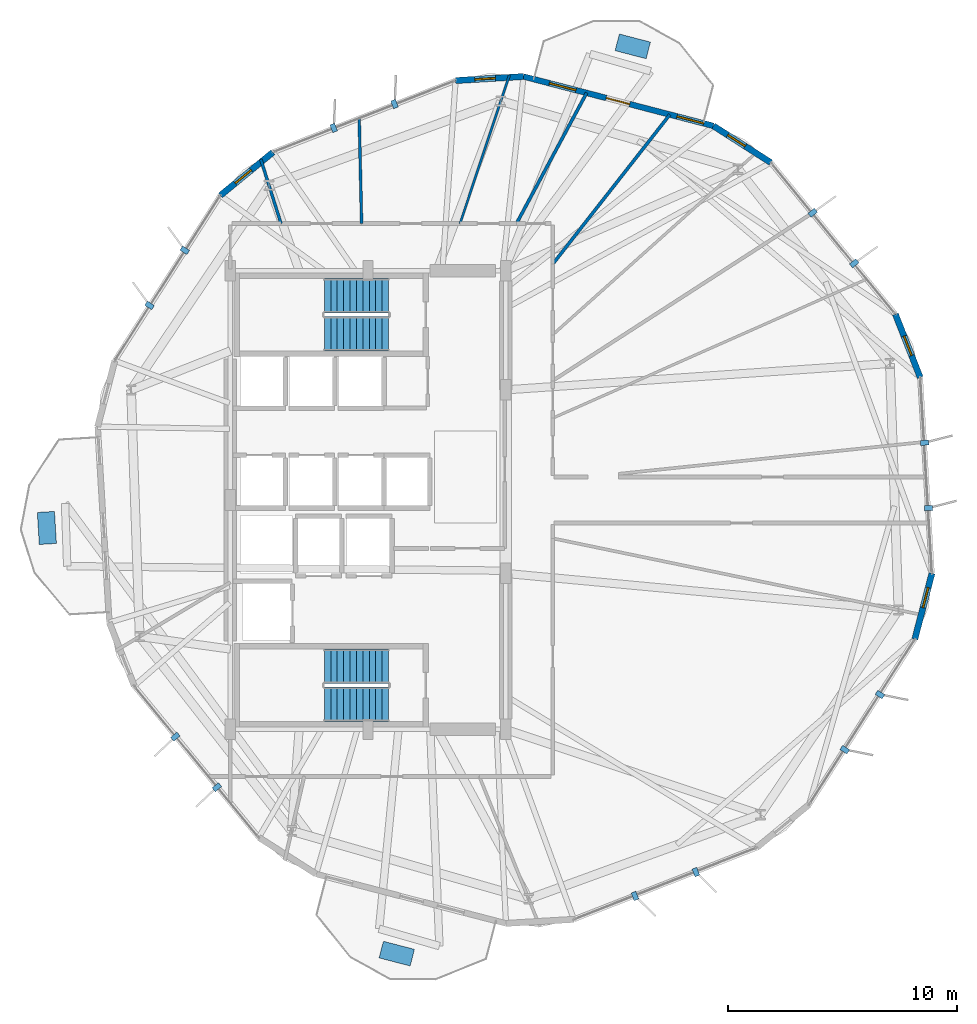
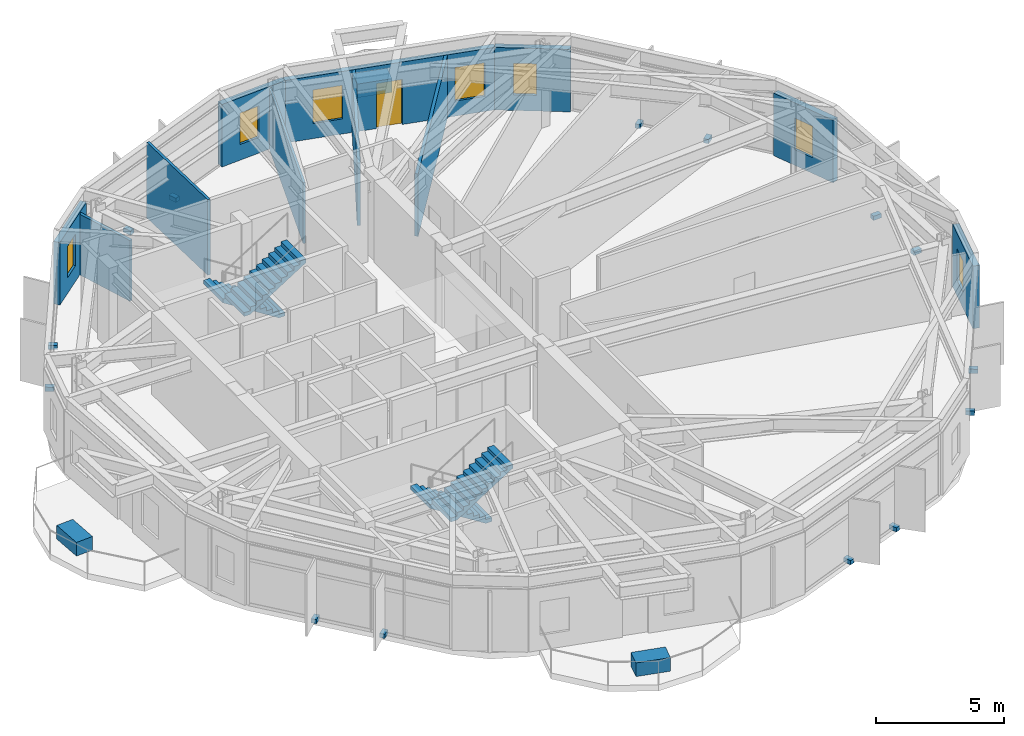
# One storey, part 19 of 22: 17 discrete accessories, 11 walls, 7 windows, 4 stair flights, 1 door, 8 openings, 2 elements without a shape of their own.
"""IFC4 building model written with IfcOpenShell, lengths in metres."""

from ifc_helpers import new_model, si_unit, direction, frame, frame_2d, origin, origin_2d, place, context, subcontext, project, spatial, polyline, rectangle, outline, extrude, material, layer, layer_set, type_object, element, fill, aggregate, save


model = new_model("IFC4")

# Units and contexts
model_context = context("Model", 3, precision=1e-05, world=origin(), true_north=direction((0.0, 1.0)))
body_context = subcontext(model_context, "Body", "Model", "MODEL_VIEW")
ifc_project = project(units=[si_unit("LENGTHUNIT", "METRE"), si_unit("AREAUNIT", "SQUARE_METRE"), si_unit("VOLUMEUNIT", "CUBIC_METRE"), si_unit("PLANEANGLEUNIT", "RADIAN"), si_unit("MASSUNIT", "GRAM", prefix="KILO")], contexts=[model_context])

# Site, building, storey
site_placement = place(None, origin())
site = spatial("IfcSite", under=ifc_project, at=site_placement, CompositionType="ELEMENT")
building_placement = place(site_placement, origin())
building = spatial("IfcBuilding", under=site, at=building_placement, Name="Soratama Intermodal Tower", CompositionType="ELEMENT")
storey_placement = place(building_placement, frame((0.0, 0.0, 110.800048828125)))
storey = spatial("IfcBuildingStorey", under=building, at=storey_placement, Name="L26", CompositionType="ELEMENT", Elevation=110.800048828125)

# Wall, openings, door, windows
ifc_material_1 = material(Name="Concrete f'c 42 MPa", Category="concrete")
ifc_layer_1 = layer(ifc_material_1, 0.25)
ifc_layer_set_1 = layer_set([ifc_layer_1], Name="Concrete f'c 42 MPa")
wall_type_1 = type_object("IfcWallType", Name="EW-BAL-250", PredefinedType="SOLIDWALL", material=ifc_layer_set_1)
wall_1_placement = place(storey_placement, frame((53.660400390625, 41.30712890625, 0.0), z_axis=(0.0, 0.0, 1.0), x_axis=(-0.967796780787, 0.251732777164, 0.0)))
wall_1 = element("IfcWall", 1, at=wall_1_placement, inside=storey, type_object=wall_type_1, Name="L26 Terrace Wall F02", PredefinedType="SOLIDWALL", context=body_context, shape_type="SweptSolid", body=[
    extrude(rectangle(XDim=8.552978515625, YDim=0.25, at=frame_2d((4.2763671875, 0.0))), origin(), (0.0, 0.0, 1.0), 2.97900390625),
])
opening_1_placement = place(wall_1_placement, frame((3.776611328125, 0.0, 0.0)))
opening_1 = element("IfcOpeningElement", 2, at=opening_1_placement, cuts=wall_1, Name="Opening ED-5", PredefinedType="OPENING", context=body_context, shape_type="SweptSolid", body=[
    extrude(rectangle(XDim=1.050048828125, YDim=2.14990234375, at=frame_2d((0.52490234375, 1.074951171875))), frame((0.0, 0.135009765625, 0.0), z_axis=(0.0, -1.0, 0.0), x_axis=(1.0, 0.0, 0.0)), (0.0, 0.0, 1.0), 0.27001953125),
])
opening_2_placement = place(wall_1_placement, frame((0.43994140625, 0.0, 0.719970703125)))
opening_2 = element("IfcOpeningElement", 3, at=opening_2_placement, cuts=wall_1, Name="Opening WN-2", PredefinedType="OPENING", context=body_context, shape_type="SweptSolid", body=[
    extrude(rectangle(XDim=1.199951171875, YDim=1.60009765625, at=frame_2d((0.60009765625, 0.800048828125))), frame((0.0, 0.135009765625, 0.0), z_axis=(0.0, -1.0, 0.0), x_axis=(1.0, 0.0, 0.0)), (0.0, 0.0, 1.0), 0.27001953125),
])
opening_3_placement = place(wall_1_placement, frame((6.18994140625, 0.0, 0.719970703125)))
opening_3 = element("IfcOpeningElement", 4, at=opening_3_placement, cuts=wall_1, Name="Opening WN-2", PredefinedType="OPENING", context=body_context, shape_type="SweptSolid", body=[
    extrude(rectangle(XDim=1.199951171875, YDim=1.60009765625, at=frame_2d((0.60009765625, 0.800048828125))), frame((0.0, 0.135009765625, 0.0), z_axis=(0.0, -1.0, 0.0), x_axis=(1.0, 0.0, 0.0)), (0.0, 0.0, 1.0), 0.27001953125),
])
ifc_material_2 = material(Name="Double-glazed aluminium door", Category="aluminium")
door_type = type_object("IfcDoorType", Name="DR-BAL-1050", OperationType="NOTDEFINED", PredefinedType="DOOR", material=ifc_material_2)
door_placement = place(opening_1_placement, origin())
door = element("IfcDoor", 5, at=door_placement, inside=storey, type_object=door_type, Name="L26 Balcony Door F02", OperationType="SINGLE_SWING_RIGHT", OverallHeight=2.14990234375, OverallWidth=1.050048828125, PredefinedType="DOOR", context=body_context, shape_type="SweptSolid", body=[
    extrude(rectangle(XDim=1.050048828125, YDim=2.14990234375, at=frame_2d((0.52490234375, 1.074951171875))), frame((0.0, 0.02490234375, 0.0), z_axis=(0.0, -1.0, 0.0), x_axis=(1.0, 0.0, 0.0)), (0.0, 0.0, 1.0), 0.050048828125),
])
fill(opening_1, door)
ifc_material_3 = material(Name="Double-glazed aluminium window", Category="aluminium")
window_type_1 = type_object("IfcWindowType", Name="WN-FAC-1200", PartitioningType="SINGLE_PANEL", PredefinedType="WINDOW", material=ifc_material_3)
window_1_placement = place(opening_2_placement, origin())
window_1 = element("IfcWindow", 6, at=window_1_placement, inside=storey, type_object=window_type_1, Name="L26 Window A F02", OverallHeight=1.60009765625, OverallWidth=1.199951171875, PartitioningType="SINGLE_PANEL", PredefinedType="WINDOW", context=body_context, shape_type="SweptSolid", body=[
    extrude(rectangle(XDim=1.199951171875, YDim=1.60009765625, at=frame_2d((0.60009765625, 0.800048828125))), frame((0.0, 0.030029296875, 0.0), z_axis=(0.0, -1.0, 0.0), x_axis=(1.0, 0.0, 0.0)), (0.0, 0.0, 1.0), 0.06005859375),
])
fill(opening_2, window_1)
window_2_placement = place(opening_3_placement, origin())
window_2 = element("IfcWindow", 7, at=window_2_placement, inside=storey, type_object=window_type_1, Name="L26 Window B F02", OverallHeight=1.60009765625, OverallWidth=1.199951171875, PartitioningType="SINGLE_PANEL", PredefinedType="WINDOW", context=body_context, shape_type="SweptSolid", body=[
    extrude(rectangle(XDim=1.199951171875, YDim=1.60009765625, at=frame_2d((0.60009765625, 0.800048828125))), frame((0.0, 0.030029296875, 0.0), z_axis=(0.0, -1.0, 0.0), x_axis=(1.0, 0.0, 0.0)), (0.0, 0.0, 1.0), 0.06005859375),
])
fill(opening_3, window_2)

# Wall, opening, window
ifc_material_4 = material(Name="Concrete f'c 42 MPa", Category="concrete")
ifc_layer_2 = layer(ifc_material_4, 0.27001953125)
ifc_layer_set_2 = layer_set([ifc_layer_2], Name="Concrete f'c 42 MPa")
wall_type_2 = type_object("IfcWallType", Name="EW-CRN-270", PredefinedType="SOLIDWALL", material=ifc_layer_set_2)
wall_2_placement = place(storey_placement, frame((56.160400390625, 39.709716796875, 0.0), z_axis=(0.0, 0.0, 1.0), x_axis=(-0.842667219755, 0.538434728404, 0.0)))
wall_2 = element("IfcWall", 8, at=wall_2_placement, inside=storey, type_object=wall_type_2, Name="L26 Corner Closure Wall 01", PredefinedType="SOLIDWALL", context=body_context, shape_type="SweptSolid", body=[
    extrude(rectangle(XDim=2.966796875, YDim=0.27001953125, at=frame_2d((1.4833984375, 0.0))), origin(), (0.0, 0.0, 1.0), 2.97900390625),
])
opening_4_placement = place(wall_2_placement, frame((1.324951171875, 0.0, 0.75)))
opening_4 = element("IfcOpeningElement", 9, at=opening_4_placement, cuts=wall_2, Name="Opening WN-6", PredefinedType="OPENING", context=body_context, shape_type="SweptSolid", body=[
    extrude(rectangle(XDim=0.89990234375, YDim=1.5, at=frame_2d((0.449951171875, 0.75))), frame((0.0, 0.14501953125, 0.0), z_axis=(0.0, -1.0, 0.0), x_axis=(1.0, 0.0, 0.0)), (0.0, 0.0, 1.0), 0.2900390625),
])
ifc_material_5 = material(Name="Double-glazed aluminium window", Category="aluminium")
window_type_2 = type_object("IfcWindowType", Name="WN-FAC-900", PartitioningType="SINGLE_PANEL", PredefinedType="WINDOW", material=ifc_material_5)
window_3_placement = place(opening_4_placement, origin())
window_3 = element("IfcWindow", 10, at=window_3_placement, inside=storey, type_object=window_type_2, Name="L26 Corner Window 01", OverallHeight=1.5, OverallWidth=0.89990234375, PartitioningType="SINGLE_PANEL", PredefinedType="WINDOW", context=body_context, shape_type="SweptSolid", body=[
    extrude(rectangle(XDim=0.89990234375, YDim=1.5, at=frame_2d((0.449951171875, 0.75))), frame((0.0, 0.030029296875, 0.0), z_axis=(0.0, -1.0, 0.0), x_axis=(1.0, 0.0, 0.0)), (0.0, 0.0, 1.0), 0.06005859375),
])
fill(opening_4, window_3)

wall_3_placement = place(storey_placement, frame((45.3828125, 43.460205078125, 0.0), z_axis=(0.0, 0.0, 1.0), x_axis=(-0.998218594755, -0.059662694245, 0.0)))
wall_3 = element("IfcWall", 11, at=wall_3_placement, inside=storey, type_object=wall_type_2, Name="L26 Corner Closure Wall 02", PredefinedType="SOLIDWALL", context=body_context, shape_type="SweptSolid", body=[
    extrude(rectangle(XDim=2.966796875, YDim=0.27001953125, at=frame_2d((1.4833984375, 0.0))), origin(), (0.0, 0.0, 1.0), 2.97900390625),
])
opening_5_placement = place(wall_3_placement, frame((1.227783203125, 0.0, 0.75)))
opening_5 = element("IfcOpeningElement", 12, at=opening_5_placement, cuts=wall_3, Name="Opening WN-6", PredefinedType="OPENING", context=body_context, shape_type="SweptSolid", body=[
    extrude(rectangle(XDim=0.89990234375, YDim=1.5, at=frame_2d((0.449951171875, 0.75))), frame((0.0, 0.14501953125, 0.0), z_axis=(0.0, -1.0, 0.0), x_axis=(1.0, 0.0, 0.0)), (0.0, 0.0, 1.0), 0.2900390625),
])
window_4_placement = place(opening_5_placement, origin())
window_4 = element("IfcWindow", 13, at=window_4_placement, inside=storey, type_object=window_type_2, Name="L26 Corner Window 02", OverallHeight=1.5, OverallWidth=0.89990234375, PartitioningType="SINGLE_PANEL", PredefinedType="WINDOW", context=body_context, shape_type="SweptSolid", body=[
    extrude(rectangle(XDim=0.89990234375, YDim=1.5, at=frame_2d((0.449951171875, 0.75))), frame((0.0, 0.030029296875, 0.0), z_axis=(0.0, -1.0, 0.0), x_axis=(1.0, 0.0, 0.0)), (0.0, 0.0, 1.0), 0.06005859375),
])
fill(opening_5, window_4)

wall_4_placement = place(storey_placement, frame((34.458984375, 40.15966796875, 0.0), z_axis=(0.0, 0.0, 1.0), x_axis=(-0.772514297214, -0.634997370545, 0.0)))
wall_4 = element("IfcWall", 14, at=wall_4_placement, inside=storey, type_object=wall_type_2, Name="L26 Corner Closure Wall 03", PredefinedType="SOLIDWALL", context=body_context, shape_type="SweptSolid", body=[
    extrude(rectangle(XDim=2.966552734375, YDim=0.27001953125, at=frame_2d((1.4833984375, 0.0))), origin(), (0.0, 0.0, 1.0), 2.97900390625),
])
opening_6_placement = place(wall_4_placement, frame((1.227783203125, 0.0, 0.75)))
opening_6 = element("IfcOpeningElement", 15, at=opening_6_placement, cuts=wall_4, Name="Opening WN-6", PredefinedType="OPENING", context=body_context, shape_type="SweptSolid", body=[
    extrude(rectangle(XDim=0.89990234375, YDim=1.5, at=frame_2d((0.449951171875, 0.75))), frame((0.0, 0.14501953125, 0.0), z_axis=(0.0, -1.0, 0.0), x_axis=(1.0, 0.0, 0.0)), (0.0, 0.0, 1.0), 0.2900390625),
])
window_5_placement = place(opening_6_placement, origin())
window_5 = element("IfcWindow", 16, at=window_5_placement, inside=storey, type_object=window_type_2, Name="L26 Corner Window 03", OverallHeight=1.5, OverallWidth=0.89990234375, PartitioningType="SINGLE_PANEL", PredefinedType="WINDOW", context=body_context, shape_type="SweptSolid", body=[
    extrude(rectangle(XDim=0.89990234375, YDim=1.5, at=frame_2d((0.449951171875, 0.75))), frame((0.0, 0.030029296875, 0.0), z_axis=(0.0, -1.0, 0.0), x_axis=(1.0, 0.0, 0.0)), (0.0, 0.0, 1.0), 0.06005859375),
])
fill(opening_6, window_5)

wall_5_placement = place(storey_placement, frame((62.4384765625, 18.931396484375, 0.0), z_axis=(0.0, 0.0, 1.0), x_axis=(0.251741768545, 0.967794442002, 0.0)))
wall_5 = element("IfcWall", 17, at=wall_5_placement, inside=storey, type_object=wall_type_2, Name="L26 Corner Closure Wall 09", PredefinedType="SOLIDWALL", context=body_context, shape_type="SweptSolid", body=[
    extrude(rectangle(XDim=2.966552734375, YDim=0.27001953125, at=frame_2d((1.4833984375, 0.0))), origin(), (0.0, 0.0, 1.0), 2.97900390625),
])
opening_7_placement = place(wall_5_placement, frame((1.422119140625, 0.0, 0.75)))
opening_7 = element("IfcOpeningElement", 18, at=opening_7_placement, cuts=wall_5, Name="Opening WN-6", PredefinedType="OPENING", context=body_context, shape_type="SweptSolid", body=[
    extrude(rectangle(XDim=0.89990234375, YDim=1.5, at=frame_2d((0.449951171875, 0.75))), frame((0.0, 0.14501953125, 0.0), z_axis=(0.0, -1.0, 0.0), x_axis=(1.0, 0.0, 0.0)), (0.0, 0.0, 1.0), 0.2900390625),
])
window_6_placement = place(opening_7_placement, origin())
window_6 = element("IfcWindow", 19, at=window_6_placement, inside=storey, type_object=window_type_2, Name="L26 Corner Window 09", OverallHeight=1.5, OverallWidth=0.89990234375, PartitioningType="SINGLE_PANEL", PredefinedType="WINDOW", context=body_context, shape_type="SweptSolid", body=[
    extrude(rectangle(XDim=0.89990234375, YDim=1.5, at=frame_2d((0.449951171875, 0.75))), frame((0.0, 0.030029296875, 0.0), z_axis=(0.0, -1.0, 0.0), x_axis=(1.0, 0.0, 0.0)), (0.0, 0.0, 1.0), 0.06005859375),
])
fill(opening_7, window_6)

wall_6_placement = place(storey_placement, frame((62.675048828125, 30.340576171875, 0.0), z_axis=(0.0, 0.0, 1.0), x_axis=(-0.365224582411, 0.93091944034, 0.0)))
wall_6 = element("IfcWall", 20, at=wall_6_placement, inside=storey, type_object=wall_type_2, Name="L26 Corner Closure Wall 10", PredefinedType="SOLIDWALL", context=body_context, shape_type="SweptSolid", body=[
    extrude(rectangle(XDim=2.966552734375, YDim=0.27001953125, at=frame_2d((1.4833984375, 0.0))), origin(), (0.0, 0.0, 1.0), 2.97900390625),
])
opening_8_placement = place(wall_6_placement, frame((1.033203125, 0.0, 0.75)))
opening_8 = element("IfcOpeningElement", 21, at=opening_8_placement, cuts=wall_6, Name="Opening WN-6", PredefinedType="OPENING", context=body_context, shape_type="SweptSolid", body=[
    extrude(rectangle(XDim=0.89990234375, YDim=1.5, at=frame_2d((0.449951171875, 0.75))), frame((0.0, 0.14501953125, 0.0), z_axis=(0.0, -1.0, 0.0), x_axis=(1.0, 0.0, 0.0)), (0.0, 0.0, 1.0), 0.2900390625),
])
window_7_placement = place(opening_8_placement, origin())
window_7 = element("IfcWindow", 22, at=window_7_placement, inside=storey, type_object=window_type_2, Name="L26 Corner Window 10", OverallHeight=1.5, OverallWidth=0.89990234375, PartitioningType="SINGLE_PANEL", PredefinedType="WINDOW", context=body_context, shape_type="SweptSolid", body=[
    extrude(rectangle(XDim=0.89990234375, YDim=1.5, at=frame_2d((0.449951171875, 0.75))), frame((0.0, 0.030029296875, 0.0), z_axis=(0.0, -1.0, 0.0), x_axis=(1.0, 0.0, 0.0)), (0.0, 0.0, 1.0), 0.06005859375),
])
fill(opening_8, window_7)

# Walls
ifc_material_6 = material(Name="Fire-rated gypsum stud partition", Category="concrete")
ifc_layer_3 = layer(ifc_material_6, 0.10009765625)
ifc_layer_set_3 = layer_set([ifc_layer_3], Name="Fire-rated gypsum stud partition")
wall_type_3 = type_object("IfcWallType", Name="IW-PART-S100", PredefinedType="PARTITIONING", material=ifc_layer_set_3)
wall_7_placement = place(storey_placement, frame((42.614013671875, 37.050048828125, 0.0), z_axis=(0.0, 0.0, 1.0), x_axis=(0.316012953592, 0.948754875172, 0.0)))
element("IfcWall", 23, at=wall_7_placement, inside=storey, type_object=wall_type_3, Name="L26 Partition W-L26-TP013", PredefinedType="PARTITIONING", context=body_context, shape_type="SweptSolid", body=[
    extrude(rectangle(XDim=6.8193359375, YDim=0.10009765625, at=frame_2d((3.40966796875, 0.0))), origin(), (0.0, 0.0, 1.0), 2.89501953125),
])
ifc_material_7 = material(Name="Fire-rated gypsum stud partition", Category="concrete")
ifc_layer_4 = layer(ifc_material_7, 0.1201171875)
ifc_layer_set_4 = layer_set([ifc_layer_4], Name="Fire-rated gypsum stud partition")
wall_type_4 = type_object("IfcWallType", Name="IW-PART-S120", PredefinedType="PARTITIONING", material=ifc_layer_set_4)
wall_8_placement = place(storey_placement, frame((38.323974609375, 37.050048828125, 0.0), z_axis=(0.0, 0.0, 1.0), x_axis=(-0.022890699076, 0.999737973619, 0.0)))
element("IfcWall", 24, at=wall_8_placement, inside=storey, type_object=wall_type_4, Name="L26 Partition W-L26-TP016", PredefinedType="PARTITIONING", context=body_context, shape_type="SweptSolid", body=[
    extrude(rectangle(XDim=4.586181640625, YDim=0.1201171875, at=frame_2d((2.29296875, 0.0))), origin(), (0.0, 0.0, 1.0), 3.599853515625),
])
ifc_material_8 = material(Name="Fire-rated gypsum stud partition", Category="concrete")
ifc_layer_5 = layer(ifc_material_8, 0.1298828125)
ifc_layer_set_5 = layer_set([ifc_layer_5], Name="Fire-rated gypsum stud partition")
wall_type_5 = type_object("IfcWallType", Name="IW-PART-S130", PredefinedType="PARTITIONING", material=ifc_layer_set_5)
wall_9_placement = place(storey_placement, frame((34.81005859375, 37.050048828125, 0.0), z_axis=(0.0, 0.0, 1.0), x_axis=(-0.299956409632, 0.953952908859, 0.0)))
element("IfcWall", 25, at=wall_9_placement, inside=storey, type_object=wall_type_5, Name="L26 Partition W-L26-TP025", PredefinedType="PARTITIONING", context=body_context, shape_type="SweptSolid", body=[
    extrude(rectangle(XDim=2.93408203125, YDim=0.1298828125, at=frame_2d((1.467041015625, 0.0))), origin(), (0.0, 0.0, 1.0), 2.89501953125),
])
ifc_material_9 = material(Name="Fire-rated gypsum stud partition", Category="concrete")
ifc_layer_6 = layer(ifc_material_9, 0.139892578125)
ifc_layer_set_6 = layer_set([ifc_layer_6], Name="Fire-rated gypsum stud partition")
wall_type_6 = type_object("IfcWallType", Name="IW-PART-S140", PredefinedType="PARTITIONING", material=ifc_layer_set_6)
wall_10_placement = place(storey_placement, frame((46.64990234375, 35.277099609375, 0.0), z_axis=(0.0, 0.0, 1.0), x_axis=(0.616712482875, 0.78718848662, 0.0)))
element("IfcWall", 26, at=wall_10_placement, inside=storey, type_object=wall_type_6, Name="L26 Partition W-L26-TP009", PredefinedType="PARTITIONING", context=body_context, shape_type="SweptSolid", body=[
    extrude(rectangle(XDim=8.28759765625, YDim=0.139892578125, at=frame_2d((4.143798828125, 0.0))), origin(), (0.0, 0.0, 1.0), 2.97802734375),
])
wall_11_placement = place(storey_placement, frame((45.073974609375, 37.050048828125, 0.0), z_axis=(0.0, 0.0, 1.0), x_axis=(0.473201001123, 0.880954489481, 0.0)))
element("IfcWall", 27, at=wall_11_placement, inside=storey, type_object=wall_type_6, Name="L26 Partition W-L26-TP014", PredefinedType="PARTITIONING", context=body_context, shape_type="SweptSolid", body=[
    extrude(rectangle(XDim=6.464599609375, YDim=0.139892578125, at=frame_2d((3.232421875, 0.0))), origin(), (0.0, 0.0, 1.0), 2.973876953125),
])

# Stair, stair flights
ifc_material_10 = material(Name="Concrete f'c 42 MPa", Category="concrete")
stair_type = type_object("IfcStairType", Name="ST-CORE-DOGLEG", PredefinedType="HALF_TURN_STAIR", material=ifc_material_10)
stair_1_placement = place(storey_placement, origin())
stair_1 = element("IfcStair", 28, at=stair_1_placement, inside=storey, type_object=stair_type, Name="L26 ST-1", PredefinedType="HALF_TURN_STAIR")
ifc_material_11 = material(Name="Precast concrete f'c 40 MPa", Category="concrete")
ifc_layer_7 = layer(ifc_material_11, 0.199951171875)
ifc_layer_set_7 = layer_set([ifc_layer_7], Name="Precast concrete f'c 40 MPa")
stair_flight_type = type_object("IfcStairFlightType", Name="SF-FLIGHT-RC", PredefinedType="STRAIGHT", material=ifc_layer_set_7)
stair_flight_1_placement = place(storey_placement, frame((39.5, 17.75, 0.0), z_axis=(0.0, 0.0, 1.0), x_axis=(-1.0, 0.0, 0.0)))
stair_flight_1 = element("IfcStairFlight", 29, at=stair_flight_1_placement, type_object=stair_flight_type, Name="ST-1 flight 1", NumberOfRisers=11, NumberOfTreads=10, PredefinedType="STRAIGHT", RiserHeight=0.177272727, TreadLength=0.28, context=body_context, shape_type="SweptSolid", body=[
    extrude(outline(polyline([(0.0, 0.0), (0.0, 0.17724609375), (0.280029296875, 0.17724609375), (0.280029296875, 0.3544921875), (0.56005859375, 0.3544921875), (0.56005859375, 0.53173828125), (0.840087890625, 0.53173828125), (0.840087890625, 0.708984375), (1.1201171875, 0.708984375), (1.1201171875, 0.886474609375), (1.39990234375, 0.886474609375), (1.39990234375, 1.063720703125), (1.679931640625, 1.063720703125), (1.679931640625, 1.240966796875), (1.9599609375, 1.240966796875), (1.9599609375, 1.418212890625), (2.239990234375, 1.418212890625), (2.239990234375, 1.595458984375), (2.52001953125, 1.595458984375), (2.52001953125, 1.772705078125), (2.800048828125, 1.772705078125), (2.800048828125, 1.949951171875), (2.800048828125, 1.59521484375), (0.2802734375, 0.0), (0.0, 0.0)])), frame((0.0, 0.75, 0.0), z_axis=(0.0, -1.0, 0.0), x_axis=(1.0, 0.0, 0.0)), (0.0, 0.0, 1.0), 1.5),
])
stair_flight_2_placement = place(storey_placement, frame((36.699951171875, 16.10009765625, 1.949951171875), z_axis=(0.0, 0.0, 1.0), x_axis=(1.0, 0.0, 0.0)))
stair_flight_2 = element("IfcStairFlight", 30, at=stair_flight_2_placement, type_object=stair_flight_type, Name="ST-1 flight 2", NumberOfRisers=11, NumberOfTreads=10, PredefinedType="STRAIGHT", RiserHeight=0.177272727, TreadLength=0.28, context=body_context, shape_type="SweptSolid", body=[
    extrude(outline(polyline([(0.0, 0.0), (0.0, 0.17724609375), (0.280029296875, 0.17724609375), (0.280029296875, 0.3544921875), (0.56005859375, 0.3544921875), (0.56005859375, 0.53173828125), (0.840087890625, 0.53173828125), (0.840087890625, 0.708984375), (1.1201171875, 0.708984375), (1.1201171875, 0.886474609375), (1.39990234375, 0.886474609375), (1.39990234375, 1.063720703125), (1.679931640625, 1.063720703125), (1.679931640625, 1.240966796875), (1.9599609375, 1.240966796875), (1.9599609375, 1.418212890625), (2.239990234375, 1.418212890625), (2.239990234375, 1.595458984375), (2.52001953125, 1.595458984375), (2.52001953125, 1.772705078125), (2.800048828125, 1.772705078125), (2.800048828125, 1.949951171875), (2.800048828125, 1.59521484375), (0.2802734375, 0.0), (0.0, 0.0)])), frame((0.0, 0.75, 0.0), z_axis=(0.0, -1.0, 0.0), x_axis=(1.0, 0.0, 0.0)), (0.0, 0.0, 1.0), 1.5),
])
aggregate(stair_1, [stair_flight_1, stair_flight_2])

stair_2_placement = place(storey_placement, origin())
stair_2 = element("IfcStair", 31, at=stair_2_placement, inside=storey, type_object=stair_type, Name="L26 ST-2", PredefinedType="HALF_TURN_STAIR")
stair_flight_3_placement = place(storey_placement, frame((39.5, 33.89990234375, 0.0), z_axis=(0.0, 0.0, 1.0), x_axis=(-1.0, 0.0, 0.0)))
stair_flight_3 = element("IfcStairFlight", 32, at=stair_flight_3_placement, type_object=stair_flight_type, Name="ST-2 flight 1", NumberOfRisers=11, NumberOfTreads=10, PredefinedType="STRAIGHT", RiserHeight=0.177272727, TreadLength=0.28, context=body_context, shape_type="SweptSolid", body=[
    extrude(outline(polyline([(0.0, 0.0), (0.0, 0.17724609375), (0.280029296875, 0.17724609375), (0.280029296875, 0.3544921875), (0.56005859375, 0.3544921875), (0.56005859375, 0.53173828125), (0.840087890625, 0.53173828125), (0.840087890625, 0.708984375), (1.1201171875, 0.708984375), (1.1201171875, 0.886474609375), (1.39990234375, 0.886474609375), (1.39990234375, 1.063720703125), (1.679931640625, 1.063720703125), (1.679931640625, 1.240966796875), (1.9599609375, 1.240966796875), (1.9599609375, 1.418212890625), (2.239990234375, 1.418212890625), (2.239990234375, 1.595458984375), (2.52001953125, 1.595458984375), (2.52001953125, 1.772705078125), (2.800048828125, 1.772705078125), (2.800048828125, 1.949951171875), (2.800048828125, 1.59521484375), (0.2802734375, 0.0), (0.0, 0.0)])), frame((0.0, 0.75, 0.0), z_axis=(0.0, -1.0, 0.0), x_axis=(1.0, 0.0, 0.0)), (0.0, 0.0, 1.0), 1.5),
])
stair_flight_4_placement = place(storey_placement, frame((36.699951171875, 32.25, 1.949951171875), z_axis=(0.0, 0.0, 1.0), x_axis=(1.0, 0.0, 0.0)))
stair_flight_4 = element("IfcStairFlight", 33, at=stair_flight_4_placement, type_object=stair_flight_type, Name="ST-2 flight 2", NumberOfRisers=11, NumberOfTreads=10, PredefinedType="STRAIGHT", RiserHeight=0.177272727, TreadLength=0.28, context=body_context, shape_type="SweptSolid", body=[
    extrude(outline(polyline([(0.0, 0.0), (0.0, 0.17724609375), (0.280029296875, 0.17724609375), (0.280029296875, 0.3544921875), (0.56005859375, 0.3544921875), (0.56005859375, 0.53173828125), (0.840087890625, 0.53173828125), (0.840087890625, 0.708984375), (1.1201171875, 0.708984375), (1.1201171875, 0.886474609375), (1.39990234375, 0.886474609375), (1.39990234375, 1.063720703125), (1.679931640625, 1.063720703125), (1.679931640625, 1.240966796875), (1.9599609375, 1.240966796875), (1.9599609375, 1.418212890625), (2.239990234375, 1.418212890625), (2.239990234375, 1.595458984375), (2.52001953125, 1.595458984375), (2.52001953125, 1.772705078125), (2.800048828125, 1.772705078125), (2.800048828125, 1.949951171875), (2.800048828125, 1.59521484375), (0.2802734375, 0.0), (0.0, 0.0)])), frame((0.0, 0.75, 0.0), z_axis=(0.0, -1.0, 0.0), x_axis=(1.0, 0.0, 0.0)), (0.0, 0.0, 1.0), 1.5),
])
aggregate(stair_2, [stair_flight_3, stair_flight_4])

# Discrete accessories
ifc_material_12 = material(Name="Structural steel ASTM A992 Grade 50", Category="steel")
discrete_accessory_type_1 = type_object("IfcDiscreteAccessoryType", Name="AC-FIN-BRACKET", PredefinedType="BRACKET", material=ifc_material_12)
for number, where, z_axis, x_axis, name in (
    (34, (59.796630859375, 35.3173828125, -0.080078125), (0.0, 0.0, 1.0), (0.772511963678, 0.635000209429, 0.0), "L26 Fin Bracket F01-1"),
    (35, (57.986083984375, 37.52001953125, -0.080078125), (0.0, 0.0, 1.0), (0.772511963678, 0.635000209429, 0.0), "L26 Fin Bracket F01-2"),
    (36, (39.760009765625, 42.2607421875, -0.080078125), (0.0, 0.0, 1.0), (-0.365201761892, 0.930928393117, 0.0), "L26 Fin Bracket F03-1"),
    (37, (37.105712890625, 41.219482421875, -0.080078125), (0.0, 0.0, 1.0), (-0.365201761892, 0.930928393117, 0.0), "L26 Fin Bracket F03-2"),
    (38, (30.615234375, 35.88427734375, -0.080078125), (0.0, 0.0, 1.0), (-0.84264041216, 0.538476680827, 0.0), "L26 Fin Bracket F04-1"),
    (39, (29.079833984375, 33.481689453125, -0.080078125), (0.0, 0.0, 1.0), (-0.84264041216, 0.538476680827, 0.0), "L26 Fin Bracket F04-2"),
    (40, (30.203369140625, 14.6826171875, -0.080078125), (0.0, 0.0, 1.0), (-0.772511963678, -0.635000209429, 0.0), "L26 Fin Bracket F06-1"),
    (41, (32.013916015625, 12.47998046875, -0.080078125), (0.0, 0.0, 1.0), (-0.772511963678, -0.635000209429, 0.0), "L26 Fin Bracket F06-2"),
    (42, (50.239990234375, 7.7392578125, -0.080078125), (0.0, 0.0, 1.0), (0.365201761892, -0.930928393117, 0.0), "L26 Fin Bracket F08-1"),
    (43, (52.894287109375, 8.780517578125, -0.080078125), (0.0, 0.0, 1.0), (0.365201761892, -0.930928393117, 0.0), "L26 Fin Bracket F08-2"),
    (44, (59.384765625, 14.11572265625, -0.080078125), (0.0, 0.0, 1.0), (0.84264041216, -0.538476680827, 0.0), "L26 Fin Bracket F09-1"),
    (45, (60.920166015625, 16.518310546875, -0.080078125), (0.0, 0.0, 1.0), (0.84264041216, -0.538476680827, 0.0), "L26 Fin Bracket F09-2"),
    (46, (63.03515625, 24.649658203125, -0.080078125), (0.0, 0.0, 1.0), (0.998219065278, 0.05965482139, 0.0), "L26 Fin Bracket F10-1"),
    (47, (62.864990234375, 27.49560546875, -0.080078125), (0.0, 0.0, 1.0), (0.998219065278, 0.05965482139, 0.0), "L26 Fin Bracket F10-2"),
):
    element("IfcDiscreteAccessory", number, at=place(storey_placement, frame(where, z_axis=z_axis, x_axis=x_axis)), inside=storey, type_object=discrete_accessory_type_1, Name=name, PredefinedType="BRACKET", context=body_context, shape_type="SweptSolid", body=[
        extrude(rectangle(XDim=0.360107421875, YDim=0.219970703125, at=origin_2d()), origin(), (0.0, 0.0, 1.0), 0.199951171875),
    ])
ifc_material_13 = material(Name="Precast concrete f'c 40 MPa", Category="concrete")
discrete_accessory_type_2 = type_object("IfcDiscreteAccessoryType", Name="AC-PLANTER-TREE", PredefinedType="USERDEFINED", material=ifc_material_13)
for number, where, z_axis, x_axis, name in (
    (48, (50.143310546875, 44.774169921875, 0.0), (0.0, 0.0, 1.0), (0.251731548668, 0.967797100329, 0.0), "L26 Tree Planter 1"),
    (49, (24.604248046875, 23.781005859375, 0.0), (0.0, 0.0, 1.0), (-0.998219065278, -0.05965482139, 0.0), "L26 Tree Planter 2"),
    (50, (39.856689453125, 5.225830078125, 0.0), (0.0, 0.0, 1.0), (-0.251731548668, -0.967797100329, 0.0), "L26 Tree Planter 3"),
):
    element("IfcDiscreteAccessory", number, at=place(storey_placement, frame(where, z_axis=z_axis, x_axis=x_axis)), inside=storey, type_object=discrete_accessory_type_2, Name=name, ObjectType="PLANTER", PredefinedType="USERDEFINED", context=body_context, shape_type="SweptSolid", body=[
        extrude(rectangle(XDim=0.75, YDim=1.39990234375, at=origin_2d()), origin(), (0.0, 0.0, 1.0), 0.64990234375),
    ])

save(model, "model.ifc")
